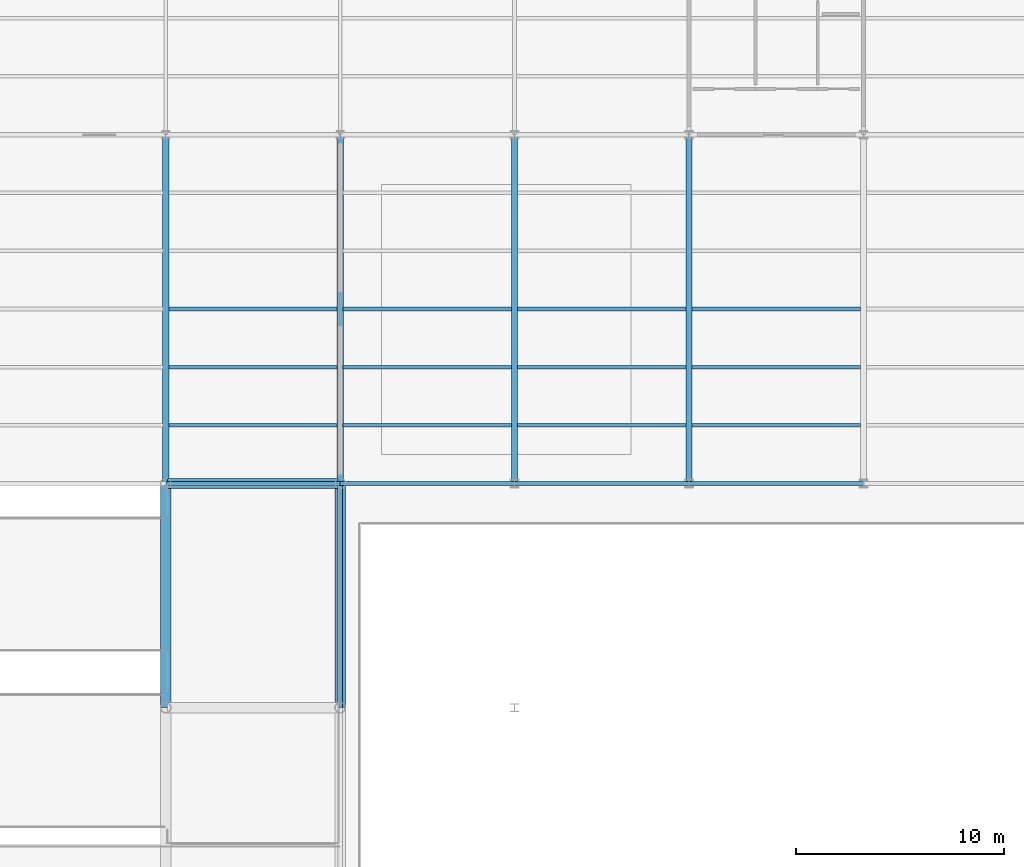
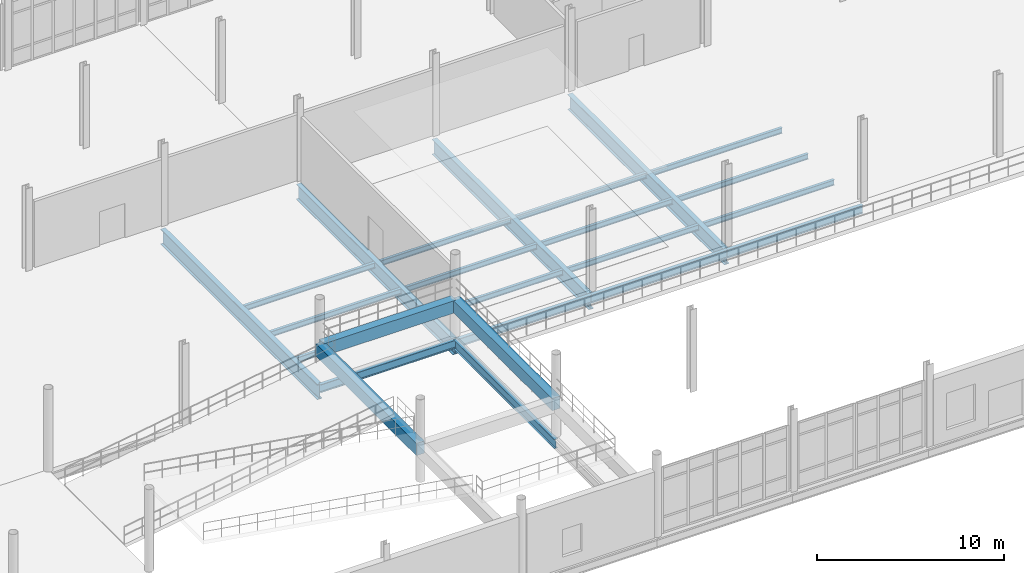
# One storey, part 26 of 111: 24 beams.
"""IFC4 building model written with IfcOpenShell, lengths in metres."""

from ifc_helpers import new_model, si_unit, direction, frame, origin, origin_2d, place, context, subcontext, project, spatial, rectangle, i_section, extrude, material, material_profile, profile_set, type_object, element, save


model = new_model("IFC4")

# Units and contexts
model_context = context("Model", 3, precision=1e-05, world=origin(), true_north=direction((0.0, 1.0)))
body_context = subcontext(model_context, "Body", "Model", "MODEL_VIEW")
ifc_project = project(units=[si_unit("LENGTHUNIT", "METRE"), si_unit("AREAUNIT", "SQUARE_METRE"), si_unit("VOLUMEUNIT", "CUBIC_METRE"), si_unit("PLANEANGLEUNIT", "RADIAN"), si_unit("MASSUNIT", "GRAM", prefix="KILO"), si_unit("THERMODYNAMICTEMPERATUREUNIT", "KELVIN"), si_unit("POWERUNIT", "WATT")], contexts=[model_context])

# Site, building, storey
site_placement = place(None, origin())
site = spatial("IfcSite", under=ifc_project, at=site_placement, CompositionType="ELEMENT")
building_placement = place(site_placement, origin())
building = spatial("IfcBuilding", under=site, at=building_placement, Name="Tembeka Court Mobility Hub", CompositionType="ELEMENT")
storey_placement = place(building_placement, origin())
storey = spatial("IfcBuildingStorey", under=building, at=storey_placement, Name="L00", CompositionType="ELEMENT", Elevation=0.0)

# Beams
ifc_material_1 = material(Name="Concrete C40/50", Category="concrete")
ifc_material_profile_1 = material_profile(ifc_material_1, rectangle(XDim=0.5, YDim=0.800048828125, at=origin_2d()), Name="RC-BM 500x800")
ifc_profile_set_1 = profile_set([ifc_material_profile_1], Name="Concrete C40/50")
beam_type_1 = type_object("IfcBeamType", Name="BM-B05", PredefinedType="BEAM", material=ifc_profile_set_1)
beam_1_placement = place(storey_placement, frame((33.695068359375, 21.60009765625, 2.050048828125), z_axis=(1.0, 0.0, 0.0), x_axis=(0.0, 1.0, 0.0)))
element("IfcBeam", 1, at=beam_1_placement, inside=storey, type_object=beam_type_1, Name="Car park vehicle ramp South R2 L00 half-landing tie beam EX3", PredefinedType="BEAM", context=body_context, shape_type="SweptSolid", body=[
    extrude(rectangle(XDim=0.5, YDim=0.800048828125, at=origin_2d()), origin(), (0.0, 0.0, 1.0), 8.2099609375),
])
for number, where, z_axis, x_axis, name in (
    (2, (33.60009765625, 10.800048828125, 2.050048828125), (0.0, 1.0, 0.0), (-1.0, 0.0, 0.0), "Car park vehicle ramp South R2 L00 half-landing beam EM2"),
    (3, (42.0, 10.800048828125, 2.050048828125), (0.0, 1.0, 0.0), (-1.0, 0.0, 0.0), "Car park vehicle ramp South R2 L00 half-landing beam EE2"),
):
    element("IfcBeam", number, at=place(storey_placement, frame(where, z_axis=z_axis, x_axis=x_axis)), inside=storey, type_object=beam_type_1, Name=name, PredefinedType="BEAM", context=body_context, shape_type="SweptSolid", body=[
        extrude(rectangle(XDim=0.5, YDim=0.800048828125, at=origin_2d()), origin(), (0.0, 0.0, 1.0), 10.800048828125),
    ])
ifc_material_2 = material(Name="Steel S355", Category="steel")
ifc_material_profile_2 = material_profile(ifc_material_2, i_section(OverallWidth=0.22900390625, OverallDepth=0.612060546875, WebThickness=0.011962890625, FlangeThickness=0.01953125, FilletRadius=0.0126953125, at=origin_2d()), Name="UKB 610x229x125")
ifc_profile_set_2 = profile_set([ifc_material_profile_2], Name="Steel S355")
beam_type_2 = type_object("IfcBeamType", Name="BM-G02", PredefinedType="USERDEFINED", material=ifc_profile_set_2)
beam_2_placement = place(storey_placement, frame((42.0, 10.800048828125, -0.5859375), z_axis=(0.0, 1.0, 0.0), x_axis=(-1.0, 0.0, 0.0)))
element("IfcBeam", 4, at=beam_2_placement, inside=storey, type_object=beam_type_2, Name="Beam G02 (BM-L00-Y0211)", ObjectType="GIRDER", PredefinedType="USERDEFINED", context=body_context, shape_type="SweptSolid", body=[
    extrude(i_section(OverallWidth=0.22900390625, OverallDepth=0.612060546875, WebThickness=0.011962890625, FlangeThickness=0.01953125, FilletRadius=0.0126953125, at=origin_2d()), origin(), (0.0, 0.0, 1.0), 10.800048828125),
])
ifc_material_profile_3 = material_profile(ifc_material_2, i_section(OverallWidth=0.2099609375, OverallDepth=0.537109375, WebThickness=0.0107421875, FlangeThickness=0.017333984375, FilletRadius=0.0126953125, at=origin_2d()), Name="UKB 533x210x101")
ifc_profile_set_3 = profile_set([ifc_material_profile_3], Name="Steel S355")
beam_type_3 = type_object("IfcBeamType", Name="BM-G03", PredefinedType="USERDEFINED", material=ifc_profile_set_3)
for number, where, z_axis, x_axis, name in (
    (5, (33.60009765625, 21.60009765625, -0.548583984375), (1.0, 0.0, 0.0), (0.0, 1.0, 0.0), "Beam G03 (BM-L00-X0028)"),
    (6, (42.0, 21.60009765625, -0.548583984375), (1.0, 0.0, 0.0), (0.0, 1.0, 0.0), "Beam G03 (BM-L00-X0029)"),
):
    element("IfcBeam", number, at=place(storey_placement, frame(where, z_axis=z_axis, x_axis=x_axis)), inside=storey, type_object=beam_type_3, Name=name, ObjectType="GIRDER", PredefinedType="USERDEFINED", context=body_context, shape_type="SweptSolid", body=[
        extrude(i_section(OverallWidth=0.2099609375, OverallDepth=0.537109375, WebThickness=0.0107421875, FlangeThickness=0.017333984375, FilletRadius=0.0126953125, at=origin_2d()), origin(), (0.0, 0.0, 1.0), 8.39990234375),
    ])
beam_3_placement = place(storey_placement, frame((50.39990234375, 21.60009765625, -0.548583984375), z_axis=(1.0, 0.0, 0.0), x_axis=(0.0, 1.0, 0.0)))
element("IfcBeam", 7, at=beam_3_placement, inside=storey, type_object=beam_type_3, Name="Beam G03 (BM-L00-X0030)", ObjectType="GIRDER", PredefinedType="USERDEFINED", context=body_context, shape_type="SweptSolid", body=[
    extrude(i_section(OverallWidth=0.2099609375, OverallDepth=0.537109375, WebThickness=0.0107421875, FlangeThickness=0.017333984375, FilletRadius=0.0126953125, at=origin_2d()), origin(), (0.0, 0.0, 1.0), 8.400146484375),
])
beam_4_placement = place(storey_placement, frame((58.800048828125, 21.60009765625, -0.548583984375), z_axis=(1.0, 0.0, 0.0), x_axis=(0.0, 1.0, 0.0)))
element("IfcBeam", 8, at=beam_4_placement, inside=storey, type_object=beam_type_3, Name="Beam G03 (BM-L00-X0031)", ObjectType="GIRDER", PredefinedType="USERDEFINED", context=body_context, shape_type="SweptSolid", body=[
    extrude(i_section(OverallWidth=0.2099609375, OverallDepth=0.537109375, WebThickness=0.0107421875, FlangeThickness=0.017333984375, FilletRadius=0.0126953125, at=origin_2d()), origin(), (0.0, 0.0, 1.0), 8.39990234375),
])
ifc_material_profile_4 = material_profile(ifc_material_2, i_section(OverallWidth=0.172119140625, OverallDepth=0.35498046875, WebThickness=0.00732421875, FlangeThickness=0.011474609375, FilletRadius=0.01025390625, at=origin_2d()), Name="UKB 356x171x51")
ifc_profile_set_4 = profile_set([ifc_material_profile_4], Name="Steel S355")
beam_type_4 = type_object("IfcBeamType", Name="BM-J01", PredefinedType="JOIST", material=ifc_profile_set_4)
for number, where, z_axis, x_axis, name in (
    (9, (33.7451171875, 24.39990234375, -0.45751953125), (1.0, 0.0, 0.0), (0.0, 1.0, 0.0), "Beam J01 (JST-L00-0396)"),
    (10, (33.7451171875, 27.199951171875, -0.45751953125), (1.0, 0.0, 0.0), (0.0, 1.0, 0.0), "Beam J01 (JST-L00-0397)"),
    (11, (33.7451171875, 30.0, -0.45751953125), (1.0, 0.0, 0.0), (0.0, 1.0, 0.0), "Beam J01 (JST-L00-0398)"),
    (12, (42.14501953125, 24.39990234375, -0.45751953125), (1.0, 0.0, 0.0), (0.0, 1.0, 0.0), "Beam J01 (JST-L00-0414)"),
    (13, (42.14501953125, 27.199951171875, -0.45751953125), (1.0, 0.0, 0.0), (0.0, 1.0, 0.0), "Beam J01 (JST-L00-0415)"),
    (14, (42.14501953125, 30.0, -0.45751953125), (1.0, 0.0, 0.0), (0.0, 1.0, 0.0), "Beam J01 (JST-L00-0416)"),
):
    element("IfcBeam", number, at=place(storey_placement, frame(where, z_axis=z_axis, x_axis=x_axis)), inside=storey, type_object=beam_type_4, Name=name, PredefinedType="JOIST", context=body_context, shape_type="SweptSolid", body=[
        extrude(i_section(OverallWidth=0.172119140625, OverallDepth=0.35498046875, WebThickness=0.00732421875, FlangeThickness=0.011474609375, FilletRadius=0.01025390625, at=origin_2d()), origin(), (0.0, 0.0, 1.0), 8.10986328125),
    ])
for number, where, z_axis, x_axis, name in (
    (15, (50.544921875, 24.39990234375, -0.45751953125), (1.0, 0.0, 0.0), (0.0, 1.0, 0.0), "Beam J01 (JST-L00-0432)"),
    (16, (50.544921875, 27.199951171875, -0.45751953125), (1.0, 0.0, 0.0), (0.0, 1.0, 0.0), "Beam J01 (JST-L00-0433)"),
    (17, (50.544921875, 30.0, -0.45751953125), (1.0, 0.0, 0.0), (0.0, 1.0, 0.0), "Beam J01 (JST-L00-0434)"),
):
    element("IfcBeam", number, at=place(storey_placement, frame(where, z_axis=z_axis, x_axis=x_axis)), inside=storey, type_object=beam_type_4, Name=name, PredefinedType="JOIST", context=body_context, shape_type="SweptSolid", body=[
        extrude(i_section(OverallWidth=0.172119140625, OverallDepth=0.35498046875, WebThickness=0.00732421875, FlangeThickness=0.011474609375, FilletRadius=0.01025390625, at=origin_2d()), origin(), (0.0, 0.0, 1.0), 8.110107421875),
    ])
for number, where, z_axis, x_axis, name in (
    (18, (58.945068359375, 24.39990234375, -0.45751953125), (1.0, 0.0, 0.0), (0.0, 1.0, 0.0), "Beam J01 (JST-L00-0450)"),
    (19, (58.945068359375, 27.199951171875, -0.45751953125), (1.0, 0.0, 0.0), (0.0, 1.0, 0.0), "Beam J01 (JST-L00-0451)"),
    (20, (58.945068359375, 30.0, -0.45751953125), (1.0, 0.0, 0.0), (0.0, 1.0, 0.0), "Beam J01 (JST-L00-0452)"),
):
    element("IfcBeam", number, at=place(storey_placement, frame(where, z_axis=z_axis, x_axis=x_axis)), inside=storey, type_object=beam_type_4, Name=name, PredefinedType="JOIST", context=body_context, shape_type="SweptSolid", body=[
        extrude(i_section(OverallWidth=0.172119140625, OverallDepth=0.35498046875, WebThickness=0.00732421875, FlangeThickness=0.011474609375, FilletRadius=0.01025390625, at=origin_2d()), origin(), (0.0, 0.0, 1.0), 8.10986328125),
    ])
ifc_material_profile_5 = material_profile(ifc_material_2, i_section(OverallWidth=0.300048828125, OverallDepth=1.0, WebThickness=0.01904296875, FlangeThickness=0.035888671875, FilletRadius=0.030029296875, at=origin_2d()), Name="HEB 1000")
ifc_profile_set_5 = profile_set([ifc_material_profile_5], Name="Steel S355")
beam_type_5 = type_object("IfcBeamType", Name="BM-TG01", PredefinedType="USERDEFINED", material=ifc_profile_set_5)
for number, where, z_axis, x_axis, name in (
    (21, (33.60009765625, 21.60009765625, -0.780029296875), (0.0, 1.0, 0.0), (-1.0, 0.0, 0.0), "Beam TG01 (BM-L00-Y0204)"),
    (22, (42.0, 21.60009765625, -0.780029296875), (0.0, 1.0, 0.0), (-1.0, 0.0, 0.0), "Beam TG01 (BM-L00-Y0212)"),
    (23, (50.39990234375, 21.60009765625, -0.780029296875), (0.0, 1.0, 0.0), (-1.0, 0.0, 0.0), "Beam TG01 (BM-L00-Y0220)"),
    (24, (58.800048828125, 21.60009765625, -0.780029296875), (0.0, 1.0, 0.0), (-1.0, 0.0, 0.0), "Beam TG01 (BM-L00-Y0226)"),
):
    element("IfcBeam", number, at=place(storey_placement, frame(where, z_axis=z_axis, x_axis=x_axis)), inside=storey, type_object=beam_type_5, Name=name, ObjectType="GIRDER", PredefinedType="USERDEFINED", context=body_context, shape_type="SweptSolid", body=[
        extrude(i_section(OverallWidth=0.300048828125, OverallDepth=1.0, WebThickness=0.01904296875, FlangeThickness=0.035888671875, FilletRadius=0.030029296875, at=origin_2d()), origin(), (0.0, 0.0, 1.0), 16.7998046875),
    ])

save(model, "model.ifc")
